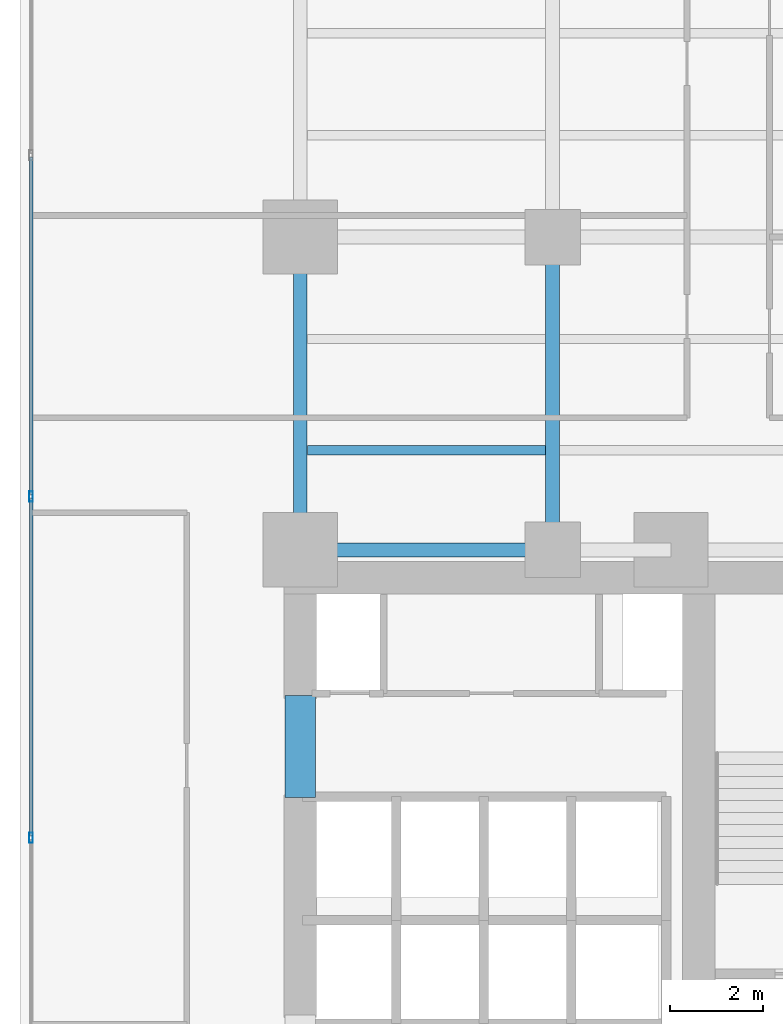
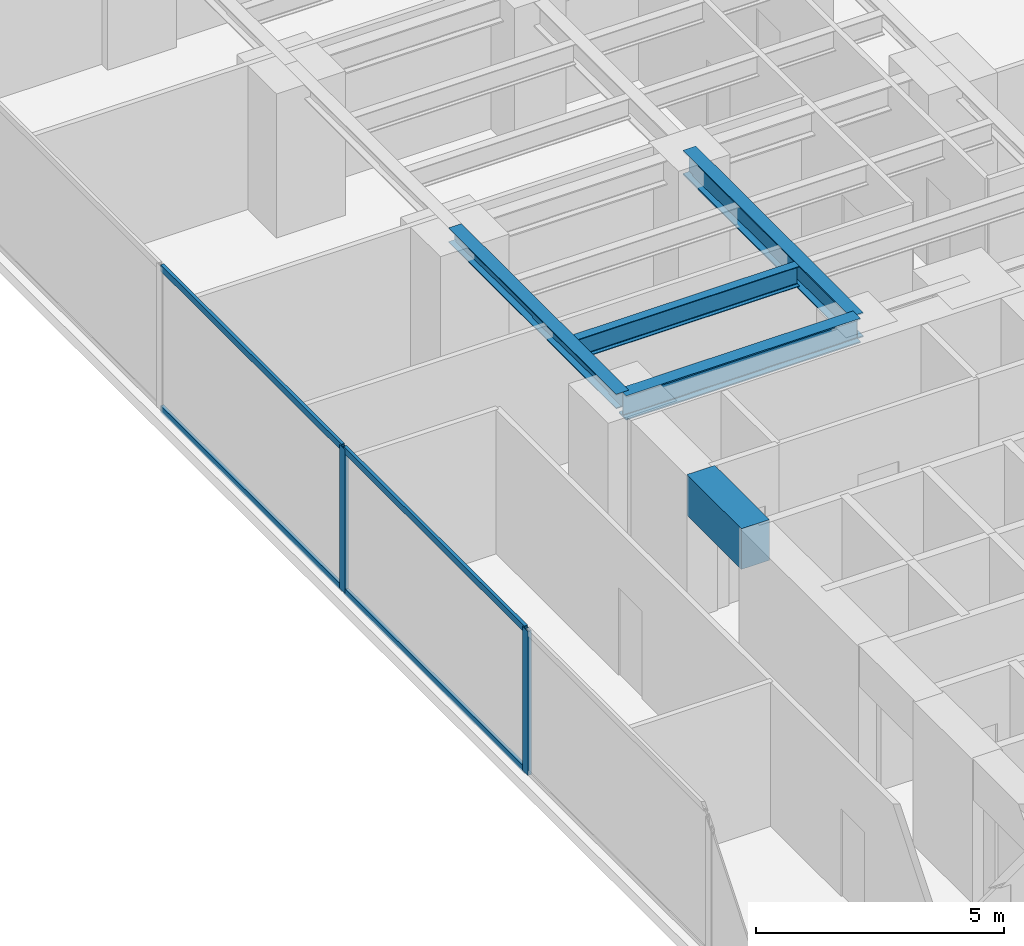
# One storey, part 6 of 27: 6 members, 5 beams, 1 element without a shape of its own.
"""IFC4 building model written with IfcOpenShell, lengths in metres."""

import ifcopenshell
import ifcopenshell.guid

model = None  # the IFC model being written
_history = None  # IfcOwnerHistory: only IFC2X3 demands one
_inside = {}  # id of a spatial element -> (the spatial element, [elements in it])
_under = {}  # id of a project, library or spatial element -> (it, [spatial elements below it])
_declared = {}  # id of a project -> (the project, [libraries it declares])
_typed = {}  # id of a type object -> (the type object, [elements of that type])
_made_of = {}  # id of a material, layer set ... -> (it, [elements and type objects made of it])


def new_model(schema):
    """Start an empty IFC model of exactly this schema.

    Asked for "IFC4X3", IfcOpenShell would pick the latest addendum, in which some entities
    have other attributes; the version numbers below select the first issue.
    IFC2X3 requires an IfcOwnerHistory on every rooted entity: one is made here for all.
    """
    global model, _history
    if schema == "IFC4X3":
        model = ifcopenshell.file(schema_version=(4, 3, 0, 0))
    else:
        model = ifcopenshell.file(schema=schema)
    _inside.clear()
    _under.clear()
    _declared.clear()
    _typed.clear()
    _made_of.clear()
    _history = None
    if model.schema == "IFC2X3":
        org = make("IfcOrganization", Name="unknown")
        user = make(
            "IfcPersonAndOrganization",
            ThePerson=make("IfcPerson", FamilyName="unknown"),
            TheOrganization=org,
        )
        app = make(
            "IfcApplication",
            ApplicationDeveloper=org,
            Version="unknown",
            ApplicationFullName="unknown",
            ApplicationIdentifier="unknown",
        )
        _history = make(
            "IfcOwnerHistory",
            OwningUser=user,
            OwningApplication=app,
            ChangeAction="ADDED",
            CreationDate=0,
        )
    return model


def make(cls, **values):
    """One entity of the class cls with the attributes given. An attribute that is None is left unset."""
    return model.create_entity(
        cls, **{name: value for name, value in values.items() if value is not None}
    )


def rooted(cls, **values):
    """An entity with a GlobalId (a new one), such as an element, a storey or a relation."""
    return make(cls, GlobalId=ifcopenshell.guid.new(), OwnerHistory=_history, **values)


def si_unit(unit_type, name, prefix=None):
    """IfcSIUnit, for example si_unit("LENGTHUNIT", "METRE", prefix="MILLI")."""
    return make("IfcSIUnit", UnitType=unit_type, Prefix=prefix, Name=name)


def assignment(units):
    """IfcUnitAssignment: the units of a project."""
    return None if units is None else make("IfcUnitAssignment", Units=units)


def point(xyz):
    """IfcCartesianPoint."""
    return None if xyz is None else make("IfcCartesianPoint", Coordinates=xyz)


def direction(xyz):
    """IfcDirection."""
    return None if xyz is None else make("IfcDirection", DirectionRatios=xyz)


def frame(location, z_axis=None, x_axis=None):
    """IfcAxis2Placement3D, a coordinate frame: its origin and axes. An axis left out is left unset."""
    return make(
        "IfcAxis2Placement3D",
        Location=point(location),
        Axis=direction(z_axis),
        RefDirection=direction(x_axis),
    )


def frame_2d(location, x_axis=None):
    """IfcAxis2Placement2D, a coordinate frame in the plane: its origin and x axis."""
    return make(
        "IfcAxis2Placement2D", Location=point(location), RefDirection=direction(x_axis)
    )


def origin():
    """The frame at (0, 0, 0) with its axes left unset."""
    return frame((0.0, 0.0, 0.0))


def origin_with_axes():
    """The frame at (0, 0, 0) with the z axis (0, 0, 1) and the x axis (1, 0, 0) written out."""
    return frame((0.0, 0.0, 0.0), z_axis=(0.0, 0.0, 1.0), x_axis=(1.0, 0.0, 0.0))


def origin_2d():
    """The frame at (0, 0) in the plane with its x axis left unset."""
    return frame_2d((0.0, 0.0))


def place(relative_to, where):
    """IfcLocalPlacement: puts the frame where relative to a parent placement (None: the world)."""
    return make(
        "IfcLocalPlacement", PlacementRelTo=relative_to, RelativePlacement=where
    )


def context(
    kind, dimensions, precision=None, world=None, true_north=None, identifier=None
):
    """IfcGeometricRepresentationContext, for example the 3D "Model" context."""
    return make(
        "IfcGeometricRepresentationContext",
        ContextIdentifier=identifier,
        ContextType=kind,
        CoordinateSpaceDimension=dimensions,
        Precision=precision,
        WorldCoordinateSystem=world,
        TrueNorth=true_north,
    )


def subcontext(parent, identifier, kind, view, scale=None):
    """IfcGeometricRepresentationSubContext, for example "Body" below "Model"."""
    return make(
        "IfcGeometricRepresentationSubContext",
        ContextIdentifier=identifier,
        ContextType=kind,
        ParentContext=parent,
        TargetScale=scale,
        TargetView=view,
    )


def project(units=None, contexts=None):
    """IfcProject with its units and contexts."""
    return rooted(
        "IfcProject",
        Name="project",
        RepresentationContexts=contexts,
        UnitsInContext=assignment(units),
    )


def spatial(cls, under=None, at=None, **own):
    """A site, building, storey or space (cls), placed at a placement, below another one or the project."""
    s = rooted(cls, ObjectPlacement=at, **own)
    if under is not None:
        _under.setdefault(under.id(), (under, []))[1].append(s)
    return s


def profile(cls, at=None, kind="AREA", **sizes):
    """A parametric profile (cls). Its sizes go by their IFC names, for example OverallWidth=200.0."""
    return make(cls, ProfileType=kind, Position=at, **sizes)


def rectangle(**sizes):
    """IfcRectangleProfileDef."""
    return profile("IfcRectangleProfileDef", **sizes)


def hollow_rectangle(**sizes):
    """IfcRectangleHollowProfileDef."""
    return profile("IfcRectangleHollowProfileDef", **sizes)


def i_section(**sizes):
    """IfcIShapeProfileDef."""
    return profile("IfcIShapeProfileDef", **sizes)


def extrude(swept, where, along, depth):
    """IfcExtrudedAreaSolid: the profile swept, set in the frame where, extruded along a direction by depth."""
    return make(
        "IfcExtrudedAreaSolid",
        SweptArea=swept,
        Position=where,
        ExtrudedDirection=direction(along),
        Depth=depth,
    )


def shape(context_of_items, identifier, shape_type, items):
    """IfcShapeRepresentation: the items that make up one representation, for example the "Body"."""
    return make(
        "IfcShapeRepresentation",
        ContextOfItems=context_of_items,
        RepresentationIdentifier=identifier,
        RepresentationType=shape_type,
        Items=items,
    )


def source(mapping_origin, context_of_items, identifier, shape_type, items):
    """IfcRepresentationMap: a shape defined once, which mapped items show again and again."""
    return make(
        "IfcRepresentationMap",
        MappingOrigin=mapping_origin,
        MappedRepresentation=shape(context_of_items, identifier, shape_type, items),
    )


def transform(
    local_origin,
    x_axis=None,
    y_axis=None,
    z_axis=None,
    scale=None,
    scale2=None,
    scale3=None,
    uniform=True,
):
    """IfcCartesianTransformationOperator3D, or its non-uniform kind. x_axis, y_axis, z_axis: its Axis1, 2, 3."""
    if uniform:
        return make(
            "IfcCartesianTransformationOperator3D",
            Axis1=direction(x_axis),
            Axis2=direction(y_axis),
            LocalOrigin=point(local_origin),
            Scale=scale,
            Axis3=direction(z_axis),
        )
    return make(
        "IfcCartesianTransformationOperator3DnonUniform",
        Axis1=direction(x_axis),
        Axis2=direction(y_axis),
        LocalOrigin=point(local_origin),
        Scale=scale,
        Axis3=direction(z_axis),
        Scale2=scale2,
        Scale3=scale3,
    )


def mapped(mapping_source, mapping_target):
    """IfcMappedItem: shows the shape of a source again, moved by a transform."""
    return make(
        "IfcMappedItem", MappingSource=mapping_source, MappingTarget=mapping_target
    )


def material(Name=None, Category=None):
    """IfcMaterial."""
    return make("IfcMaterial", Name=Name, Category=Category)


def layer(
    of_material, thickness, ventilated=None, Name=None, Category=None, Priority=None
):
    """IfcMaterialLayer: one layer of a wall or slab, of a material (None: an air gap)."""
    return make(
        "IfcMaterialLayer",
        Material=of_material,
        LayerThickness=thickness,
        IsVentilated=ventilated,
        Name=Name,
        Category=Category,
        Priority=Priority,
    )


def layer_set(layers, Name=None):
    """IfcMaterialLayerSet."""
    return make("IfcMaterialLayerSet", MaterialLayers=layers, LayerSetName=Name)


def material_profile(
    of_material, cross_section, Name=None, Category=None, Priority=None
):
    """IfcMaterialProfile: a cross section and its material."""
    return make(
        "IfcMaterialProfile",
        Name=Name,
        Material=of_material,
        Profile=cross_section,
        Priority=Priority,
        Category=Category,
    )


def profile_set(profiles, Name=None, composite=None):
    """IfcMaterialProfileSet."""
    return make(
        "IfcMaterialProfileSet",
        Name=Name,
        MaterialProfiles=profiles,
        CompositeProfile=composite,
    )


def made_of(thing, what):
    """Note that an element or type object is made of a material, layer set ...; save() writes the relation."""
    if what is not None:
        _made_of.setdefault(what.id(), (what, []))[1].append(thing)
    return thing


def type_object(cls, material=None, **own):
    """A type object (cls), such as IfcWallType, which elements share."""
    return made_of(rooted(cls, **own), material)


def element(
    cls,
    number,
    at=None,
    inside=None,
    cuts=None,
    type_object=None,
    material=None,
    context=None,
    identifier="Body",
    shape_type=None,
    held_by="IfcProductDefinitionShape",
    body=None,
    shapes=None,
    **own,
):
    """One element of the class cls, such as IfcWall. Its Tag is "e" and its number.

    at: its placement. inside: the storey or other place that contains it. cuts: it is an
    opening in that element (IfcRelVoidsElement). A single representation is given by context,
    identifier, shape_type and body (its items); several are given by shapes. held_by: the class
    of the entity that holds the representations. save() writes the other relations.
    """
    e = rooted(cls, Tag="e%d" % number, ObjectPlacement=at, **own)
    if body is not None:
        shapes = [shape(context, identifier, shape_type, body)]
    if shapes is not None:
        e.Representation = make(held_by, Representations=shapes)
    if inside is not None:
        _inside.setdefault(inside.id(), (inside, []))[1].append(e)
    if cuts is not None:
        rooted(
            "IfcRelVoidsElement", RelatingBuildingElement=cuts, RelatedOpeningElement=e
        )
    if type_object is not None:
        _typed.setdefault(type_object.id(), (type_object, []))[1].append(e)
    return made_of(e, material)


def aggregate(whole, parts):
    """IfcRelAggregates: a whole, such as a stair, and the parts it consists of."""
    return rooted("IfcRelAggregates", RelatingObject=whole, RelatedObjects=parts)


def save(model, path):
    """Write the relations noted so far, then the file.

    IfcRelAggregates (storeys below a building ...), IfcRelContainedInSpatialStructure (elements
    in a storey), IfcRelDefinesByType, IfcRelAssociatesMaterial and IfcRelDeclares: one each for
    every whole, place, type object, material and project.
    """
    for whole, parts in _under.values():
        aggregate(whole, parts)
    for where, things in _inside.values():
        rooted(
            "IfcRelContainedInSpatialStructure",
            RelatedElements=things,
            RelatingStructure=where,
        )
    for kind, things in _typed.values():
        rooted("IfcRelDefinesByType", RelatedObjects=things, RelatingType=kind)
    for what, things in _made_of.values():
        rooted("IfcRelAssociatesMaterial", RelatedObjects=things, RelatingMaterial=what)
    for by, libraries in _declared.values():
        rooted("IfcRelDeclares", RelatingContext=by, RelatedDefinitions=libraries)
    model.write(path)


model = new_model("IFC4")

# Units and contexts
model_context = context("Model", 3, precision=1e-05, world=origin(), true_north=direction((0.0, 1.0)))
body_context = subcontext(model_context, "Body", "Model", "MODEL_VIEW")
ifc_project = project(units=[si_unit("LENGTHUNIT", "METRE"), si_unit("AREAUNIT", "SQUARE_METRE"), si_unit("VOLUMEUNIT", "CUBIC_METRE"), si_unit("PLANEANGLEUNIT", "RADIAN"), si_unit("MASSUNIT", "GRAM", prefix="KILO")], contexts=[model_context])

# Site, building, storey
site_placement = place(None, origin())
site = spatial("IfcSite", under=ifc_project, at=site_placement, CompositionType="ELEMENT")
building_placement = place(site_placement, origin())
building = spatial("IfcBuilding", under=site, at=building_placement, Name="Kolvaren Waterfront Exchange", CompositionType="ELEMENT")
storey_placement = place(building_placement, frame((0.0, 0.0, 60.0)))
storey = spatial("IfcBuildingStorey", under=building, at=storey_placement, Name="L15", CompositionType="ELEMENT", Elevation=60.0)

# Beams
ifc_material_1 = material(Name="Steel S355", Category="steel")
ifc_material_profile_1 = material_profile(ifc_material_1, i_section(OverallWidth=0.300048828125, OverallDepth=0.360107421875, WebThickness=0.012451171875, FlangeThickness=0.0224609375, FilletRadius=0.027099609375, at=origin_2d()), Name="HEB360")
ifc_profile_set_1 = profile_set([ifc_material_profile_1], Name="Steel S355")
beam_type_1 = type_object("IfcBeamType", Name="STR-BM-HEB360", PredefinedType="SPANDREL", material=ifc_profile_set_1)
beam_1_placement = place(storey_placement, frame((7.449951171875, 24.449951171875, 3.360107421875), z_axis=(0.0, 1.0, 0.0), x_axis=(-1.0, 0.0, 0.0)))
element("IfcBeam", 1, at=beam_1_placement, inside=storey, type_object=beam_type_1, Name="L15 north-arm edge beam 1", PredefinedType="SPANDREL", context=body_context, shape_type="SweptSolid", body=[
    extrude(i_section(OverallWidth=0.300048828125, OverallDepth=0.360107421875, WebThickness=0.012451171875, FlangeThickness=0.0224609375, FilletRadius=0.027099609375, at=origin_2d()), origin(), (0.0, 0.0, 1.0), 6.75),
])
ifc_material_profile_2 = material_profile(ifc_material_1, i_section(OverallWidth=0.300048828125, OverallDepth=0.60009765625, WebThickness=0.015380859375, FlangeThickness=0.030029296875, FilletRadius=0.027099609375, at=origin_2d()), Name="HEB600")
ifc_profile_set_2 = profile_set([ifc_material_profile_2], Name="Steel S355")
beam_type_2 = type_object("IfcBeamType", Name="STR-BM-HEB600", PredefinedType="BEAM", material=ifc_profile_set_2)
beam_2_placement = place(storey_placement, frame((7.449951171875, 24.449951171875, 3.239990234375), z_axis=(1.0, 0.0, 0.0), x_axis=(0.0, 1.0, 0.0)))
element("IfcBeam", 2, at=beam_2_placement, inside=storey, type_object=beam_type_2, Name="L15 north-arm girder 1A", PredefinedType="BEAM", context=body_context, shape_type="SweptSolid", body=[
    extrude(i_section(OverallWidth=0.300048828125, OverallDepth=0.60009765625, WebThickness=0.015380859375, FlangeThickness=0.030029296875, FilletRadius=0.027099609375, at=origin_2d()), origin(), (0.0, 0.0, 1.0), 5.449951171875),
])
beam_3_placement = place(storey_placement, frame((12.89990234375, 24.449951171875, 3.239990234375), z_axis=(0.0, 1.0, 0.0), x_axis=(-1.0, 0.0, 0.0)))
element("IfcBeam", 3, at=beam_3_placement, inside=storey, type_object=beam_type_2, Name="L15 north-arm edge beam 1", PredefinedType="BEAM", context=body_context, shape_type="SweptSolid", body=[
    extrude(i_section(OverallWidth=0.300048828125, OverallDepth=0.60009765625, WebThickness=0.015380859375, FlangeThickness=0.030029296875, FilletRadius=0.027099609375, at=origin_2d()), origin(), (0.0, 0.0, 1.0), 6.75),
])
ifc_material_profile_3 = material_profile(ifc_material_1, i_section(OverallWidth=0.199951171875, OverallDepth=0.5, WebThickness=0.01025390625, FlangeThickness=0.01611328125, FilletRadius=0.02099609375, at=origin_2d()), Name="IPE500")
ifc_profile_set_3 = profile_set([ifc_material_profile_3], Name="Steel S355")
beam_type_3 = type_object("IfcBeamType", Name="STR-BM-IPE500", PredefinedType="JOIST", material=ifc_profile_set_3)
beam_4_placement = place(storey_placement, frame((7.60205078125, 26.60009765625, 3.2900390625), z_axis=(1.0, 0.0, 0.0), x_axis=(0.0, 1.0, 0.0)))
element("IfcBeam", 4, at=beam_4_placement, inside=storey, type_object=beam_type_3, Name="L15 north-arm composite joist 1A", PredefinedType="JOIST", context=body_context, shape_type="SweptSolid", body=[
    extrude(i_section(OverallWidth=0.199951171875, OverallDepth=0.5, WebThickness=0.01025390625, FlangeThickness=0.01611328125, FilletRadius=0.02099609375, at=origin_2d()), origin(), (0.0, 0.0, 1.0), 5.14599609375),
])
ifc_material_2 = material(Name="Concrete C60/75", Category="concrete")
ifc_material_profile_4 = material_profile(ifc_material_2, rectangle(XDim=0.64990234375, YDim=1.0, at=origin_2d()), Name="RC-CB-1000x650")
ifc_profile_set_4 = profile_set([ifc_material_profile_4], Name="Concrete C60/75")
beam_type_4 = type_object("IfcBeamType", Name="STR-CB-1000", PredefinedType="SPANDREL", material=ifc_profile_set_4)
beam_5_placement = place(storey_placement, frame((7.449951171875, 19.10009765625, 3.0400390625), z_axis=(0.0, 1.0, 0.0), x_axis=(-1.0, 0.0, 0.0)))
element("IfcBeam", 5, at=beam_5_placement, inside=storey, type_object=beam_type_4, Name="L15 core coupling beam 5", PredefinedType="SPANDREL", context=body_context, shape_type="SweptSolid", body=[
    extrude(rectangle(XDim=0.64990234375, YDim=1.0, at=origin_2d()), origin(), (0.0, 0.0, 1.0), 2.199951171875),
])

# Curtain wall, members
ifc_material_3 = material(Name="Anodised aluminium 6063-T6", Category="aluminium")
ifc_layer = layer(ifc_material_3, 0.219970703125, Name="Anodised aluminium 6063-T6")
ifc_layer_set = layer_set([ifc_layer], Name="Anodised aluminium 6063-T6")
curtain_wall_type = type_object("IfcCurtainWallType", Name="ARC-CW-SYS2", PredefinedType="USERDEFINED", material=ifc_layer_set)
curtain_wall_placement = place(storey_placement, origin())
curtain_wall = element("IfcCurtainWall", 6, at=curtain_wall_placement, inside=storey, type_object=curtain_wall_type, Name="L15 stick curtain wall CW2 (CW-L15-W)", ObjectType="STICK CURTAIN WALL", PredefinedType="USERDEFINED")
ifc_material_profile_5 = material_profile(ifc_material_3, hollow_rectangle(XDim=0.074951171875, YDim=0.159912109375, WallThickness=0.00439453125, at=origin_2d()), Name="ALU-TRN-160x75x4.5")
ifc_profile_set_5 = profile_set([ifc_material_profile_5], Name="Anodised aluminium 6063-T6")
member_type_1 = type_object("IfcMemberType", Name="ARC-CWT-160", PredefinedType="USERDEFINED", material=ifc_profile_set_5)
shared_shape_1 = source(origin_with_axes(), body_context, "Body", "SweptSolid", [
    extrude(hollow_rectangle(XDim=0.074951171875, YDim=0.159912109375, WallThickness=0.00439453125, at=origin_2d()), origin(), (0.0, 0.0, 1.0), 7.28662109375),
])
member_1_placement = place(storey_placement, frame((1.639892578125, 18.2734375, 0.03759765625), z_axis=(0.0, 1.0, 0.0), x_axis=(-1.0, 0.0, 0.0)))
member_1 = element("IfcMember", 7, at=member_1_placement, type_object=member_type_1, Name="CW2 transom 3.1", ObjectType="TRANSOM", PredefinedType="USERDEFINED", context=body_context, shape_type="MappedRepresentation", body=[
    mapped(shared_shape_1, transform((0.0, 0.0, 0.0), x_axis=(1.0, 0.0, 0.0), y_axis=(0.0, 1.0, 0.0), z_axis=(0.0, 0.0, 1.0), scale=1.0)),
])
member_2_placement = place(storey_placement, frame((1.639892578125, 18.2734375, 3.50244140625), z_axis=(0.0, 1.0, 0.0), x_axis=(-1.0, 0.0, 0.0)))
member_2 = element("IfcMember", 8, at=member_2_placement, type_object=member_type_1, Name="CW2 transom 3.2", ObjectType="TRANSOM", PredefinedType="USERDEFINED", context=body_context, shape_type="MappedRepresentation", body=[
    mapped(shared_shape_1, transform((0.0, 0.0, 0.0), x_axis=(1.0, 0.0, 0.0), y_axis=(0.0, 1.0, 0.0), z_axis=(0.0, 0.0, 1.0), scale=1.0)),
])
shared_shape_2 = source(origin_with_axes(), body_context, "Body", "SweptSolid", [
    extrude(hollow_rectangle(XDim=0.074951171875, YDim=0.159912109375, WallThickness=0.00439453125, at=origin_2d()), origin(), (0.0, 0.0, 1.0), 7.286865234375),
])
member_3_placement = place(storey_placement, frame((1.639892578125, 25.639892578125, 0.03759765625), z_axis=(0.0, 1.0, 0.0), x_axis=(-1.0, 0.0, 0.0)))
member_3 = element("IfcMember", 9, at=member_3_placement, type_object=member_type_1, Name="CW2 transom 4.1", ObjectType="TRANSOM", PredefinedType="USERDEFINED", context=body_context, shape_type="MappedRepresentation", body=[
    mapped(shared_shape_2, transform((0.0, 0.0, 0.0), x_axis=(1.0, 0.0, 0.0), y_axis=(0.0, 1.0, 0.0), z_axis=(0.0, 0.0, 1.0), scale=1.0)),
])
member_4_placement = place(storey_placement, frame((1.639892578125, 25.639892578125, 3.50244140625), z_axis=(0.0, 1.0, 0.0), x_axis=(-1.0, 0.0, 0.0)))
member_4 = element("IfcMember", 10, at=member_4_placement, type_object=member_type_1, Name="CW2 transom 4.2", ObjectType="TRANSOM", PredefinedType="USERDEFINED", context=body_context, shape_type="MappedRepresentation", body=[
    mapped(shared_shape_2, transform((0.0, 0.0, 0.0), x_axis=(1.0, 0.0, 0.0), y_axis=(0.0, 1.0, 0.0), z_axis=(0.0, 0.0, 1.0), scale=1.0)),
])
ifc_material_profile_6 = material_profile(ifc_material_3, hollow_rectangle(XDim=0.080078125, YDim=0.219970703125, WallThickness=0.0048828125, at=origin_2d()), Name="ALU-MUL-220x80x5")
ifc_profile_set_6 = profile_set([ifc_material_profile_6], Name="Anodised aluminium 6063-T6")
member_type_2 = type_object("IfcMemberType", Name="ARC-CWM-220", PredefinedType="MULLION", material=ifc_profile_set_6)
shared_shape_3 = source(origin_with_axes(), body_context, "Body", "SweptSolid", [
    extrude(hollow_rectangle(XDim=0.080078125, YDim=0.219970703125, WallThickness=0.0048828125, at=origin_2d()), origin(), (0.0, 0.0, 1.0), 3.5400390625),
])
member_5_placement = place(storey_placement, frame((1.639892578125, 18.2333984375, 0.0), z_axis=(0.0, 0.0, 1.0), x_axis=(-1.0, 0.0, 0.0)))
member_5 = element("IfcMember", 11, at=member_5_placement, type_object=member_type_2, Name="CW2 mullion 3", PredefinedType="MULLION", context=body_context, shape_type="MappedRepresentation", body=[
    mapped(shared_shape_3, transform((0.0, 0.0, 0.0), x_axis=(1.0, 0.0, 0.0), y_axis=(0.0, 1.0, 0.0), z_axis=(0.0, 0.0, 1.0), scale=1.0)),
])
member_6_placement = place(storey_placement, frame((1.639892578125, 25.60009765625, 0.0), z_axis=(0.0, 0.0, 1.0), x_axis=(-1.0, 0.0, 0.0)))
member_6 = element("IfcMember", 12, at=member_6_placement, type_object=member_type_2, Name="CW2 mullion 4", PredefinedType="MULLION", context=body_context, shape_type="MappedRepresentation", body=[
    mapped(shared_shape_3, transform((0.0, 0.0, 0.0), x_axis=(1.0, 0.0, 0.0), y_axis=(0.0, 1.0, 0.0), z_axis=(0.0, 0.0, 1.0), scale=1.0)),
])
aggregate(curtain_wall, [member_5, member_6, member_1, member_2, member_3, member_4])

save(model, "model.ifc")
